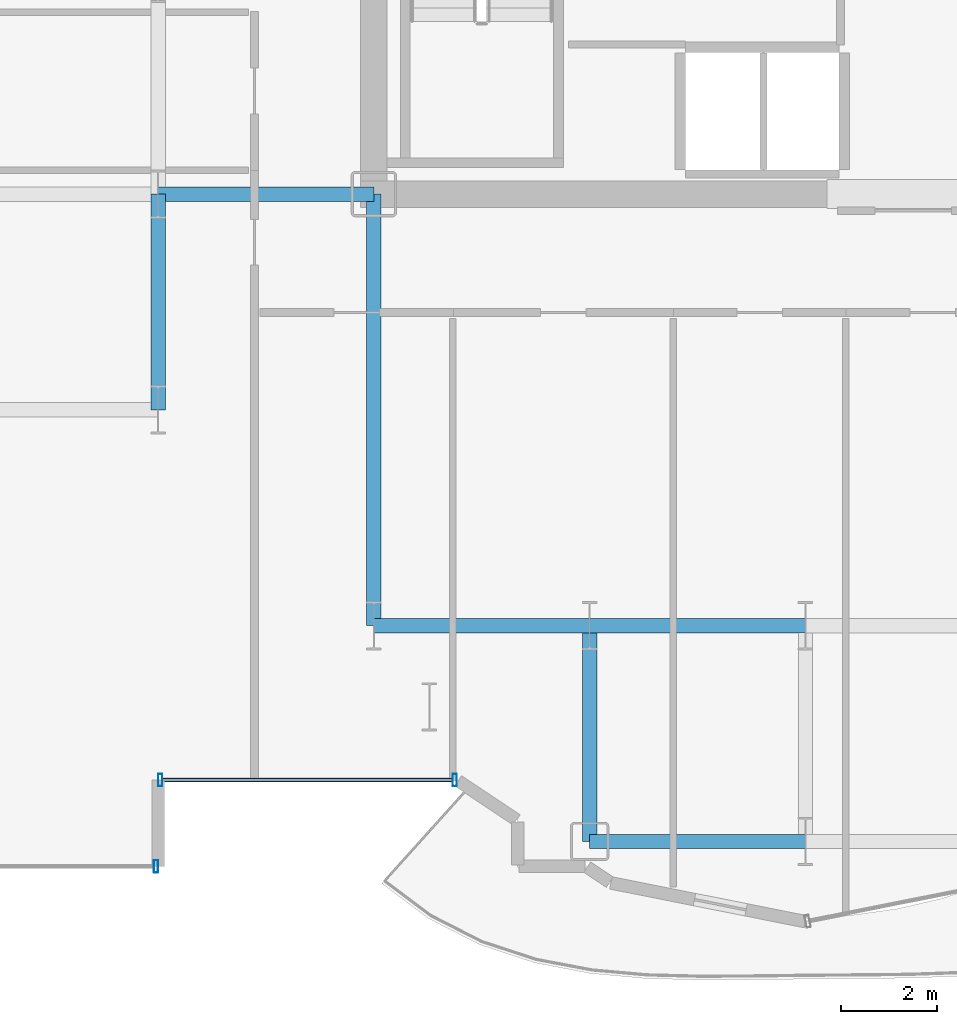
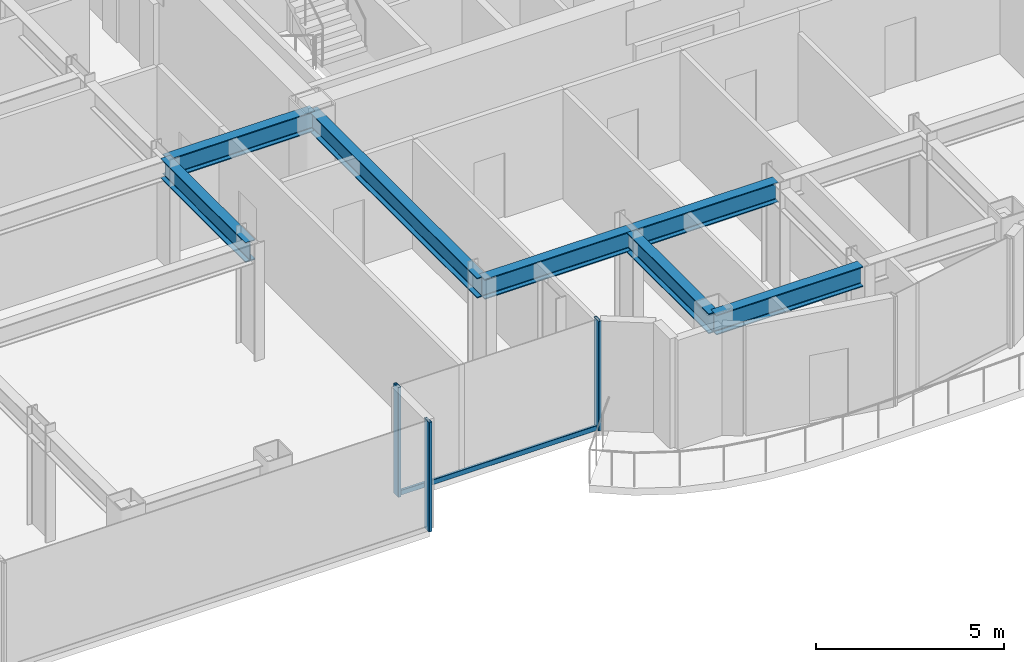
# One storey, part 4 of 29: 7 beams, 4 members, 2 elements without a shape of their own.
"""IFC4 building model written with IfcOpenShell, lengths in metres."""

from ifc_helpers import new_model, si_unit, direction, frame, origin, origin_2d, place, context, subcontext, project, spatial, hollow_rectangle, i_section, extrude, source, transform, mapped, material, layer, layer_set, material_profile, profile_set, type_object, element, aggregate, save


model = new_model("IFC4")

# Units and contexts
model_context = context("Model", 3, precision=1e-05, world=origin(), true_north=direction((0.0, 1.0)))
body_context = subcontext(model_context, "Body", "Model", "MODEL_VIEW")
ifc_project = project(units=[si_unit("LENGTHUNIT", "METRE"), si_unit("AREAUNIT", "SQUARE_METRE"), si_unit("VOLUMEUNIT", "CUBIC_METRE"), si_unit("PLANEANGLEUNIT", "RADIAN"), si_unit("MASSUNIT", "GRAM", prefix="KILO")], contexts=[model_context])

# Site, building, storey
site_placement = place(None, origin())
site = spatial("IfcSite", under=ifc_project, at=site_placement, CompositionType="ELEMENT")
building_placement = place(site_placement, origin())
building = spatial("IfcBuilding", under=site, at=building_placement, Name="Nefas-Gora Pilgrimage Tower", CompositionType="ELEMENT")
storey_placement = place(building_placement, frame((0.0, 0.0, 113.60009765625)))
storey = spatial("IfcBuildingStorey", under=building, at=storey_placement, Name="L27", CompositionType="ELEMENT", Elevation=113.60009765625)

# Beams
ifc_material_1 = material(Name="Steel S355", Category="steel")
ifc_material_profile_1 = material_profile(ifc_material_1, i_section(OverallWidth=0.300048828125, OverallDepth=0.64990234375, WebThickness=0.01611328125, FlangeThickness=0.031005859375, FilletRadius=0.027099609375, at=origin_2d()), Name="HEB 650")
ifc_profile_set_1 = profile_set([ifc_material_profile_1], Name="Steel S355")
beam_type = type_object("IfcBeamType", Name="BM-GIR-HEB650", PredefinedType="BEAM", material=ifc_profile_set_1)
shared_shape_1 = source(origin(), body_context, "Body", "SweptSolid", [
    extrude(i_section(OverallWidth=0.300048828125, OverallDepth=0.64990234375, WebThickness=0.01611328125, FlangeThickness=0.031005859375, FilletRadius=0.027099609375, at=origin_2d()), origin(), (0.0, 0.0, 1.0), 9.0),
])
beam_placement = place(storey_placement, frame((-11.25, -18.0, 3.224853515625), z_axis=(0.0, 1.0, 0.0), x_axis=(-1.0, 0.0, 0.0)))
element("IfcBeam", 1, at=beam_placement, inside=storey, type_object=beam_type, Name="L27 G-03 beam", PredefinedType="BEAM", context=body_context, shape_type="MappedRepresentation", body=[
    mapped(shared_shape_1, transform((0.0, 0.0, 0.0), x_axis=(1.0, 0.0, 0.0), y_axis=(0.0, 1.0, 0.0), z_axis=(0.0, 0.0, 1.0), scale=1.0)),
])
shared_shape_2 = source(origin(), body_context, "Body", "SweptSolid", [
    extrude(i_section(OverallWidth=0.300048828125, OverallDepth=0.64990234375, WebThickness=0.01611328125, FlangeThickness=0.031005859375, FilletRadius=0.027099609375, at=origin_2d()), origin(), (0.0, 0.0, 1.0), 4.5),
])
for number, where, z_axis, x_axis, name in (
    (2, (-15.75, -13.5, 3.224853515625), (0.0, 1.0, 0.0), (-1.0, 0.0, 0.0), "L27 G-03 beam"),
    (3, (-15.75, -9.0, 3.224853515625), (1.0, 0.0, 0.0), (0.0, 1.0, 0.0), "L27 G-03 beam"),
    (4, (-11.25, -18.0, 3.224853515625), (1.0, 0.0, 0.0), (0.0, 1.0, 0.0), "L27 G-03 beam"),
    (5, (-6.75, -22.5, 3.224853515625), (0.0, 1.0, 0.0), (-1.0, 0.0, 0.0), "L27 G-03 beam"),
    (6, (-6.75, -22.5, 3.224853515625), (1.0, 0.0, 0.0), (0.0, 1.0, 0.0), "L27 G-03 beam"),
    (7, (-6.75, -18.0, 3.224853515625), (1.0, 0.0, 0.0), (0.0, 1.0, 0.0), "L27 G-03 beam"),
):
    element("IfcBeam", number, at=place(storey_placement, frame(where, z_axis=z_axis, x_axis=x_axis)), inside=storey, type_object=beam_type, Name=name, PredefinedType="BEAM", context=body_context, shape_type="MappedRepresentation", body=[
        mapped(shared_shape_2, transform((0.0, 0.0, 0.0), x_axis=(1.0, 0.0, 0.0), y_axis=(0.0, 1.0, 0.0), z_axis=(0.0, 0.0, 1.0), scale=1.0)),
    ])

# Curtain wall, members
ifc_material_2 = material(Name="Dark ceramic-fritted solar-control aluminium-glass curtain wall", Category="aluminium")
ifc_layer_1 = layer(ifc_material_2, 0.219970703125)
ifc_layer_set_1 = layer_set([ifc_layer_1], Name="Dark ceramic-fritted solar-control aluminium-glass curtain wall")
curtain_wall_type_1 = type_object("IfcCurtainWallType", Name="CW-SYS-5", PredefinedType="NOTDEFINED", material=ifc_layer_set_1)
curtain_wall_1_placement = place(storey_placement, origin())
curtain_wall_1 = element("IfcCurtainWall", 8, at=curtain_wall_1_placement, inside=storey, type_object=curtain_wall_type_1, Name="L27 Unitised Curtain Wall CW5", PredefinedType="NOTDEFINED")
ifc_material_3 = material(Name="Anodised architectural aluminium", Category="aluminium")
ifc_material_profile_2 = material_profile(ifc_material_3, hollow_rectangle(XDim=0.080078125, YDim=0.159912109375, WallThickness=0.00439453125, InnerFilletRadius=0.00439453125, OuterFilletRadius=0.009033203125, at=origin_2d()), Name="ALU TRANSOM 80x160")
ifc_profile_set_2 = profile_set([ifc_material_profile_2], Name="Anodised architectural aluminium")
member_type_1 = type_object("IfcMemberType", Name="CWM-TRN-5", PredefinedType="USERDEFINED", material=ifc_profile_set_2)
shared_shape_3 = source(origin(), body_context, "Body", "SweptSolid", [
    extrude(hollow_rectangle(XDim=0.080078125, YDim=0.159912109375, WallThickness=0.00439453125, InnerFilletRadius=0.00439453125, OuterFilletRadius=0.009033203125, at=origin_2d()), origin(), (0.0, 0.0, 1.0), 6.052001953125),
])
member_1_placement = place(storey_placement, frame((-15.659912109375, -21.219970703125, 0.0498046875), z_axis=(1.0, 0.0, 0.0), x_axis=(0.0, 1.0, 0.0)))
member_1 = element("IfcMember", 9, at=member_1_placement, type_object=member_type_1, Name="CW5 Spandrel Transom", ObjectType="TRANSOM", PredefinedType="USERDEFINED", context=body_context, shape_type="MappedRepresentation", body=[
    mapped(shared_shape_3, transform((0.0, 0.0, 0.0), x_axis=(1.0, 0.0, 0.0), y_axis=(0.0, 1.0, 0.0), z_axis=(0.0, 0.0, 1.0), scale=1.0)),
])
ifc_material_profile_3 = material_profile(ifc_material_3, hollow_rectangle(XDim=0.090087890625, YDim=0.260009765625, WallThickness=0.006103515625, InnerFilletRadius=0.006103515625, OuterFilletRadius=0.011962890625, at=origin_2d()), Name="ALU MULLION 90x260")
ifc_profile_set_3 = profile_set([ifc_material_profile_3], Name="Anodised architectural aluminium")
member_type_2 = type_object("IfcMemberType", Name="CWM-MUL-5", PredefinedType="MULLION", material=ifc_profile_set_3)
shared_shape_4 = source(origin(), body_context, "Body", "SweptSolid", [
    extrude(hollow_rectangle(XDim=0.090087890625, YDim=0.260009765625, WallThickness=0.006103515625, InnerFilletRadius=0.006103515625, OuterFilletRadius=0.011962890625, at=origin_2d()), origin(), (0.0, 0.0, 1.0), 3.5498046875),
])
member_2_placement = place(storey_placement, frame((-15.705078125, -21.219970703125, 0.0), z_axis=(0.0, 0.0, 1.0), x_axis=(1.0, 0.0, 0.0)))
member_2 = element("IfcMember", 10, at=member_2_placement, type_object=member_type_2, Name="CW5 Mullion 1", PredefinedType="MULLION", context=body_context, shape_type="MappedRepresentation", body=[
    mapped(shared_shape_4, transform((0.0, 0.0, 0.0), x_axis=(1.0, 0.0, 0.0), y_axis=(0.0, 1.0, 0.0), z_axis=(0.0, 0.0, 1.0), scale=1.0)),
])
member_3_placement = place(storey_placement, frame((-9.56298828125, -21.219970703125, 0.0), z_axis=(0.0, 0.0, 1.0), x_axis=(1.0, 0.0, 0.0)))
member_3 = element("IfcMember", 11, at=member_3_placement, type_object=member_type_2, Name="CW5 Mullion 2", PredefinedType="MULLION", context=body_context, shape_type="MappedRepresentation", body=[
    mapped(shared_shape_4, transform((0.0, 0.0, 0.0), x_axis=(1.0, 0.0, 0.0), y_axis=(0.0, 1.0, 0.0), z_axis=(0.0, 0.0, 1.0), scale=1.0)),
])
aggregate(curtain_wall_1, [member_2, member_3, member_1])

# Curtain wall, member
ifc_layer_2 = layer(ifc_material_2, 0.219970703125)
ifc_layer_set_2 = layer_set([ifc_layer_2], Name="Dark ceramic-fritted solar-control aluminium-glass curtain wall")
curtain_wall_type_2 = type_object("IfcCurtainWallType", Name="CW-SYS-2", PredefinedType="NOTDEFINED", material=ifc_layer_set_2)
curtain_wall_2_placement = place(storey_placement, origin())
curtain_wall_2 = element("IfcCurtainWall", 12, at=curtain_wall_2_placement, inside=storey, type_object=curtain_wall_type_2, Name="L27 Unitised Curtain Wall CW2", PredefinedType="NOTDEFINED")
ifc_material_profile_4 = material_profile(ifc_material_3, hollow_rectangle(XDim=0.090087890625, YDim=0.260009765625, WallThickness=0.006103515625, InnerFilletRadius=0.006103515625, OuterFilletRadius=0.011962890625, at=origin_2d()), Name="ALU MULLION 90x260")
ifc_profile_set_4 = profile_set([ifc_material_profile_4], Name="Anodised architectural aluminium")
member_type_3 = type_object("IfcMemberType", Name="CWM-MUL-2", PredefinedType="MULLION", material=ifc_profile_set_4)
shared_shape_5 = source(origin(), body_context, "Body", "SweptSolid", [
    extrude(hollow_rectangle(XDim=0.090087890625, YDim=0.260009765625, WallThickness=0.006103515625, InnerFilletRadius=0.006103515625, OuterFilletRadius=0.011962890625, at=origin_2d()), origin(), (0.0, 0.0, 1.0), 3.5498046875),
])
member_4_placement = place(storey_placement, frame((-15.794921875, -23.02001953125, 0.0), z_axis=(0.0, 0.0, 1.0), x_axis=(1.0, 0.0, 0.0)))
member_4 = element("IfcMember", 13, at=member_4_placement, type_object=member_type_3, Name="CW2 Mullion 2", PredefinedType="MULLION", context=body_context, shape_type="MappedRepresentation", body=[
    mapped(shared_shape_5, transform((0.0, 0.0, 0.0), x_axis=(1.0, 0.0, 0.0), y_axis=(0.0, 1.0, 0.0), z_axis=(0.0, 0.0, 1.0), scale=1.0)),
])
aggregate(curtain_wall_2, [member_4])

save(model, "model.ifc")
